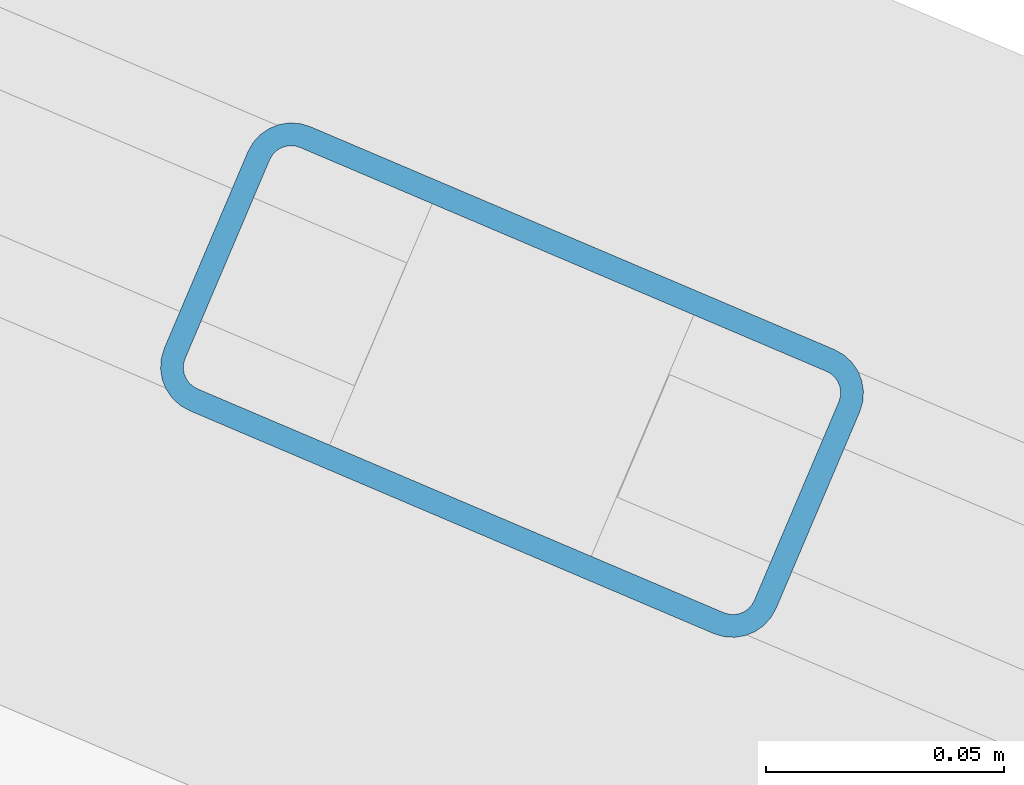
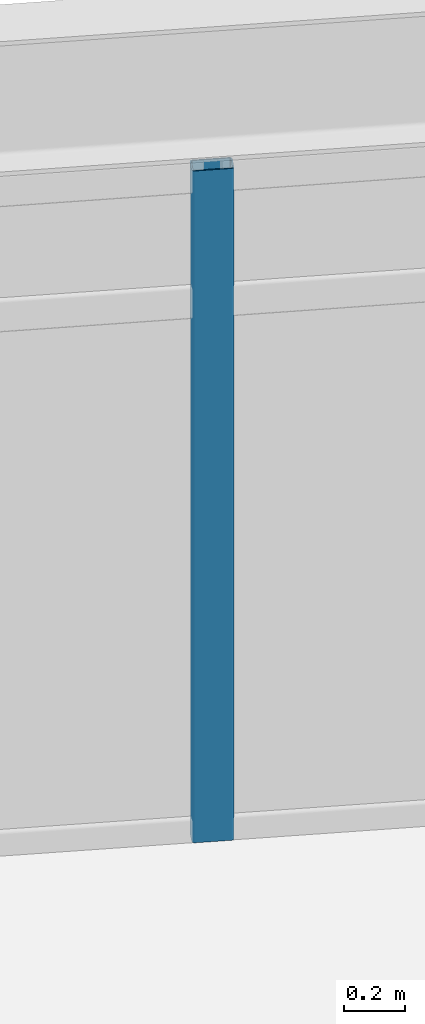
# One storey, part 17 of 27: 1 member, 1 element without a shape of its own.
"""IFC4 building model written with IfcOpenShell, lengths in metres."""

from ifc_helpers import new_model, si_unit, direction, frame, origin, origin_2d, place, context, subcontext, project, spatial, hollow_rectangle, extrude, material, layer, layer_set, material_profile, profile_set, type_object, element, aggregate, save


model = new_model("IFC4")

# Units and contexts
model_context = context("Model", 3, precision=1e-05, world=origin(), true_north=direction((0.0, 1.0)))
body_context = subcontext(model_context, "Body", "Model", "MODEL_VIEW")
ifc_project = project(units=[si_unit("LENGTHUNIT", "METRE"), si_unit("AREAUNIT", "SQUARE_METRE"), si_unit("VOLUMEUNIT", "CUBIC_METRE"), si_unit("PLANEANGLEUNIT", "RADIAN"), si_unit("MASSUNIT", "GRAM", prefix="KILO")], contexts=[model_context])

# Site, building, storey
site_placement = place(None, origin())
site = spatial("IfcSite", under=ifc_project, at=site_placement, CompositionType="ELEMENT")
building_placement = place(site_placement, origin())
building = spatial("IfcBuilding", under=site, at=building_placement, Name="Soratama Intermodal Tower", CompositionType="ELEMENT")
storey_placement = place(building_placement, frame((0.0, 0.0, 212.199951171875)))
storey = spatial("IfcBuildingStorey", under=building, at=storey_placement, Name="L53", CompositionType="ELEMENT", Elevation=212.199951171875)

# Curtain wall, member
ifc_material_1 = material(Name="Double-glazed aluminium curtain wall", Category="aluminium")
ifc_layer = layer(ifc_material_1, 0.159912109375)
ifc_layer_set = layer_set([ifc_layer], Name="Double-glazed aluminium curtain wall")
curtain_wall_type = type_object("IfcCurtainWallType", Name="CW-SYS-5", PredefinedType="NOTDEFINED", material=ifc_layer_set)
curtain_wall_placement = place(storey_placement, origin())
curtain_wall = element("IfcCurtainWall", 1, at=curtain_wall_placement, inside=storey, type_object=curtain_wall_type, Name="L53 Faceted Curtain Wall F01", PredefinedType="NOTDEFINED")
ifc_material_2 = material(Name="Anodised aluminium AA 6063-T6", Category="aluminium")
ifc_material_profile = material_profile(ifc_material_2, hollow_rectangle(XDim=0.06494140625, YDim=0.139892578125, WallThickness=0.0048828125, InnerFilletRadius=0.0048828125, OuterFilletRadius=0.010009765625, at=origin_2d()), Name="CWM140X65X5")
ifc_profile_set = profile_set([ifc_material_profile], Name="Anodised aluminium AA 6063-T6")
member_type = type_object("IfcMemberType", Name="MT-CWM-5", PredefinedType="MULLION", material=ifc_profile_set)
member_placement = place(storey_placement, frame((52.761962890625, 43.250732421875, 0.0), z_axis=(0.0, 0.0, 1.0), x_axis=(-0.391376465221, -0.920230657211, 0.0)))
member = element("IfcMember", 2, at=member_placement, type_object=member_type, Name="CW-5 mullion 2", PredefinedType="MULLION", context=body_context, shape_type="SweptSolid", body=[
    extrude(hollow_rectangle(XDim=0.06494140625, YDim=0.139892578125, WallThickness=0.0048828125, InnerFilletRadius=0.0048828125, OuterFilletRadius=0.010009765625, at=origin_2d()), origin(), (0.0, 0.0, 1.0), 2.678955078125),
])
aggregate(curtain_wall, [member])

save(model, "model.ifc")
